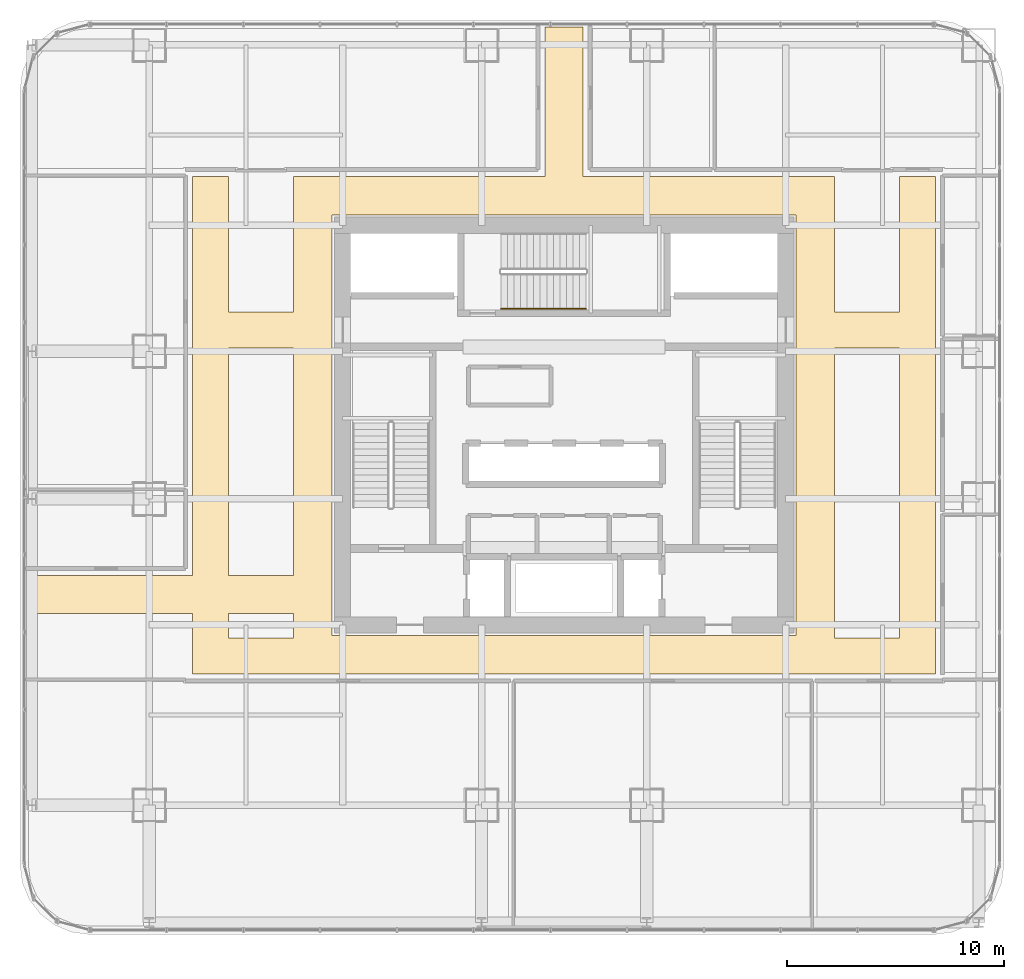
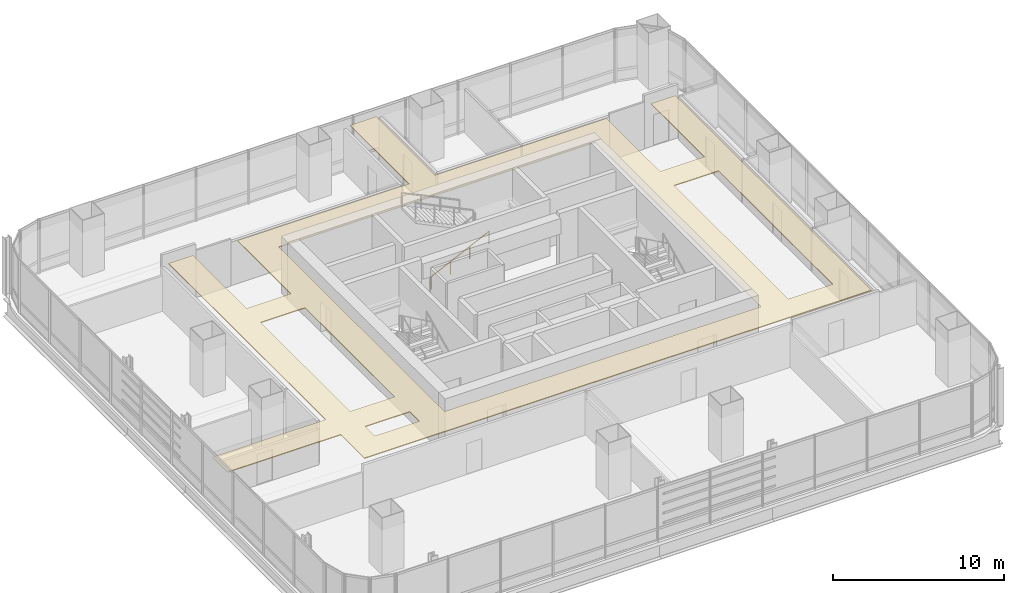
# One storey, part 34 of 36: 1 covering, 1 railing.
"""IFC4 building model written with IfcOpenShell, lengths in metres."""

from ifc_helpers import new_model, si_unit, direction, frame, origin, origin_2d, place, context, subcontext, project, spatial, polyline, circle, outline, extrude, material, layer, layer_set, type_object, element, save


model = new_model("IFC4")

# Units and contexts
model_context = context("Model", 3, precision=1e-05, world=origin(), true_north=direction((0.0, 1.0)))
body_context = subcontext(model_context, "Body", "Model", "MODEL_VIEW")
ifc_project = project(units=[si_unit("LENGTHUNIT", "METRE"), si_unit("AREAUNIT", "SQUARE_METRE"), si_unit("VOLUMEUNIT", "CUBIC_METRE"), si_unit("PLANEANGLEUNIT", "RADIAN"), si_unit("MASSUNIT", "GRAM", prefix="KILO")], contexts=[model_context])

# Site, building, storey
site_placement = place(None, origin())
site = spatial("IfcSite", under=ifc_project, at=site_placement, CompositionType="ELEMENT")
building_placement = place(site_placement, origin())
building = spatial("IfcBuilding", under=site, at=building_placement, Name="Punatoya Terracotta Tower", CompositionType="ELEMENT")
storey_placement = place(building_placement, frame((0.0, 0.0, 36.300048828125)))
storey = spatial("IfcBuildingStorey", under=building, at=storey_placement, Name="L07", CompositionType="ELEMENT", Elevation=36.300048828125)

# Covering
ifc_material_1 = material(Name="Acoustic Mineral Fibre Ceiling")
ifc_layer = layer(ifc_material_1, 0.06005859375)
ifc_layer_set = layer_set([ifc_layer], Name="Acoustic Mineral Fibre Ceiling")
covering_type = type_object("IfcCoveringType", Name="COV-CEIL-60", PredefinedType="CEILING", material=ifc_layer_set)
covering_placement = place(storey_placement, frame((0.0, 0.0, 3.199951171875)))
element("IfcCovering", 1, at=covering_placement, inside=storey, type_object=covering_type, Name="L07 Ring Circulation Corridor Acoustic Ceiling", PredefinedType="CEILING", context=body_context, shape_type="SweptSolid", body=[
    extrude(outline(polyline([(-17.10009765625, -11.449951171875), (17.10009765625, -11.449951171875), (17.10009765625, 11.449951171875), (15.449951171875, 11.449951171875), (15.449951171875, 5.199951171875), (12.449951171875, 5.199951171875), (12.449951171875, 11.449951171875), (0.8798828125, 11.449951171875), (0.8798828125, 18.330078125), (-0.8798828125, 18.330078125), (-0.8798828125, 11.449951171875), (-12.449951171875, 11.449951171875), (-12.449951171875, 5.199951171875), (-15.449951171875, 5.199951171875), (-15.449951171875, 11.449951171875), (-17.10009765625, 11.449951171875), (-17.10009765625, -6.919921875), (-24.72998046875, -6.919921875), (-24.72998046875, -8.679931640625), (-17.10009765625, -8.679931640625), (-17.10009765625, -11.449951171875)]), holes=[polyline([(15.449951171875, 3.550048828125), (15.449951171875, -9.800048828125), (12.449951171875, -9.800048828125), (12.449951171875, 3.550048828125), (15.449951171875, 3.550048828125)]), polyline([(10.679931640625, 9.679931640625), (10.679931640625, -9.679931640625), (-10.679931640625, -9.679931640625), (-10.679931640625, 9.679931640625), (10.679931640625, 9.679931640625)]), polyline([(-15.449951171875, -9.800048828125), (-15.449951171875, -8.679931640625), (-12.449951171875, -8.679931640625), (-12.449951171875, -9.800048828125), (-15.449951171875, -9.800048828125)]), polyline([(-12.449951171875, -6.919921875), (-15.449951171875, -6.919921875), (-15.449951171875, 3.550048828125), (-12.449951171875, 3.550048828125), (-12.449951171875, -6.919921875)])]), origin(), (0.0, 0.0, 1.0), 0.06005859375),
])

# Railing
ifc_material_2 = material(Name="Steel S355", Category="steel")
railing_type = type_object("IfcRailingType", Name="RLG-HND-900", PredefinedType="HANDRAIL", material=ifc_material_2)
railing_placement = place(storey_placement, frame((-2.89990234375, 5.35009765625, 0.14453125)))
element("IfcRailing", 2, at=railing_placement, inside=storey, type_object=railing_type, Name="L07 ST-3 stair handrail 1", PredefinedType="HANDRAIL", context=body_context, shape_type="SweptSolid", body=[
    extrude(circle(Radius=0.02392578125, at=origin_2d()), frame((0.0, 0.0, 0.8759765625), z_axis=(0.900763166376, 0.0, 0.434310623978), x_axis=(0.0, 1.0, 0.0)), (0.0, 0.0, 1.0), 4.32958984375),
    extrude(circle(Radius=0.02099609375, at=origin_2d()), origin(), (0.0, 0.0, 1.0), 0.851806640625),
    extrude(circle(Radius=0.02099609375, at=origin_2d()), frame((1.300048828125, 0.0, 0.626708984375)), (0.0, 0.0, 1.0), 0.851806640625),
    extrude(circle(Radius=0.02099609375, at=origin_2d()), frame((2.599853515625, 0.0, 1.253662109375)), (0.0, 0.0, 1.0), 0.851806640625),
    extrude(circle(Radius=0.02099609375, at=origin_2d()), frame((3.89990234375, 0.0, 1.88037109375)), (0.0, 0.0, 1.0), 0.851806640625),
])

save(model, "model.ifc")
